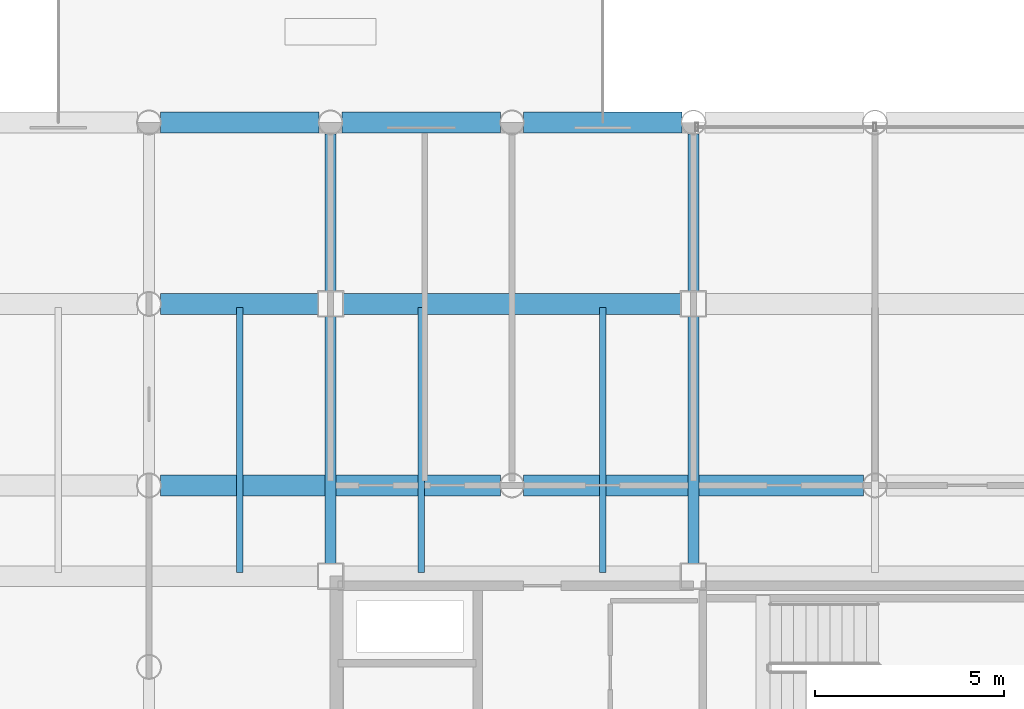
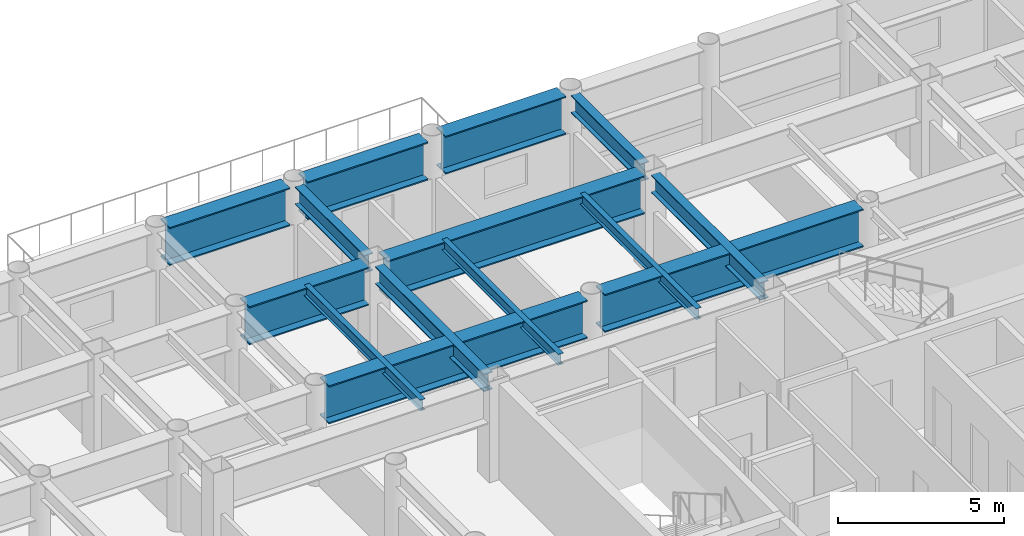
# One storey, part 11 of 22: 14 beams.
"""IFC4 building model written with IfcOpenShell, lengths in metres."""

from ifc_helpers import new_model, si_unit, direction, frame, origin, origin_2d, place, context, subcontext, project, spatial, i_section, extrude, material, material_profile, profile_set, type_object, element, save


model = new_model("IFC4")

# Units and contexts
model_context = context("Model", 3, precision=1e-05, world=origin(), true_north=direction((0.0, 1.0)))
body_context = subcontext(model_context, "Body", "Model", "MODEL_VIEW")
ifc_project = project(units=[si_unit("LENGTHUNIT", "METRE"), si_unit("AREAUNIT", "SQUARE_METRE"), si_unit("VOLUMEUNIT", "CUBIC_METRE"), si_unit("PLANEANGLEUNIT", "RADIAN"), si_unit("MASSUNIT", "GRAM", prefix="KILO")], contexts=[model_context])

# Site, building, storey
site_placement = place(None, origin())
site = spatial("IfcSite", under=ifc_project, at=site_placement, CompositionType="ELEMENT")
building_placement = place(site_placement, origin())
building = spatial("IfcBuilding", under=site, at=building_placement, Name="Kallvorn Hotel Tower", CompositionType="ELEMENT")
storey_placement = place(building_placement, frame((0.0, 0.0, 154.39990234375)))
storey = spatial("IfcBuildingStorey", under=building, at=storey_placement, Name="L38", CompositionType="ELEMENT", Elevation=154.39990234375)

# Beams
ifc_material_1 = material(Name="Structural steel S355JR", Category="steel")
ifc_material_profile_1 = material_profile(ifc_material_1, i_section(OverallWidth=0.300048828125, OverallDepth=0.64990234375, WebThickness=0.01611328125, FlangeThickness=0.031005859375, at=origin_2d()), Name="HE 650 B")
ifc_profile_set_1 = profile_set([ifc_material_profile_1], Name="Structural steel S355JR")
beam_type_1 = type_object("IfcBeamType", Name="BM_HE650B", PredefinedType="BEAM", material=ifc_profile_set_1)
beam_1_placement = place(storey_placement, frame((-14.39990234375, 7.52490234375, 3.195068359375), z_axis=(0.0, 1.0, 0.0), x_axis=(-1.0, 0.0, 0.0)))
element("IfcBeam", 1, at=beam_1_placement, inside=storey, type_object=beam_type_1, Name="L39 Primary Y-Girder 101", PredefinedType="BEAM", context=body_context, shape_type="SweptSolid", body=[
    extrude(i_section(OverallWidth=0.300048828125, OverallDepth=0.64990234375, WebThickness=0.01611328125, FlangeThickness=0.031005859375, at=origin_2d()), origin(), (0.0, 0.0, 1.0), 6.550048828125),
])
beam_2_placement = place(storey_placement, frame((-14.39990234375, 14.72509765625, 3.195068359375), z_axis=(0.0, 1.0, 0.0), x_axis=(-1.0, 0.0, 0.0)))
element("IfcBeam", 2, at=beam_2_placement, inside=storey, type_object=beam_type_1, Name="L39 Primary Y-Girder 102", PredefinedType="BEAM", context=body_context, shape_type="SweptSolid", body=[
    extrude(i_section(OverallWidth=0.300048828125, OverallDepth=0.64990234375, WebThickness=0.01611328125, FlangeThickness=0.031005859375, at=origin_2d()), origin(), (0.0, 0.0, 1.0), 4.169921875),
])
beam_3_placement = place(storey_placement, frame((-4.800048828125, 7.52490234375, 3.195068359375), z_axis=(0.0, 1.0, 0.0), x_axis=(-1.0, 0.0, 0.0)))
element("IfcBeam", 3, at=beam_3_placement, inside=storey, type_object=beam_type_1, Name="L39 Primary Y-Girder 109", PredefinedType="BEAM", context=body_context, shape_type="SweptSolid", body=[
    extrude(i_section(OverallWidth=0.300048828125, OverallDepth=0.64990234375, WebThickness=0.01611328125, FlangeThickness=0.031005859375, at=origin_2d()), origin(), (0.0, 0.0, 1.0), 6.550048828125),
])
beam_4_placement = place(storey_placement, frame((-4.800048828125, 14.72509765625, 3.195068359375), z_axis=(0.0, 1.0, 0.0), x_axis=(-1.0, 0.0, 0.0)))
element("IfcBeam", 4, at=beam_4_placement, inside=storey, type_object=beam_type_1, Name="L39 Primary Y-Girder 110", PredefinedType="BEAM", context=body_context, shape_type="SweptSolid", body=[
    extrude(i_section(OverallWidth=0.300048828125, OverallDepth=0.64990234375, WebThickness=0.01611328125, FlangeThickness=0.031005859375, at=origin_2d()), origin(), (0.0, 0.0, 1.0), 4.169921875),
])
ifc_material_2 = material(Name="Structural steel S355JR", Category="steel")
ifc_material_profile_2 = material_profile(ifc_material_2, i_section(OverallWidth=0.179931640625, OverallDepth=0.39990234375, WebThickness=0.008544921875, FlangeThickness=0.013427734375, at=origin_2d()), Name="IPE 400")
ifc_profile_set_2 = profile_set([ifc_material_profile_2], Name="Structural steel S355JR")
beam_type_2 = type_object("IfcBeamType", Name="BM_IPE400", PredefinedType="JOIST", material=ifc_profile_set_2)
for number, where, z_axis, x_axis, name in (
    (5, (-16.800048828125, 7.300048828125, 3.320068359375), (0.0, 1.0, 0.0), (-1.0, 0.0, 0.0), "L39 Secondary Composite Joist 195"),
    (6, (-12.0, 7.300048828125, 3.320068359375), (0.0, 1.0, 0.0), (-1.0, 0.0, 0.0), "L39 Secondary Composite Joist 197"),
    (7, (-7.199951171875, 7.300048828125, 3.320068359375), (0.0, 1.0, 0.0), (-1.0, 0.0, 0.0), "L39 Secondary Composite Joist 199"),
):
    element("IfcBeam", number, at=place(storey_placement, frame(where, z_axis=z_axis, x_axis=x_axis)), inside=storey, type_object=beam_type_2, Name=name, PredefinedType="JOIST", context=body_context, shape_type="SweptSolid", body=[
        extrude(i_section(OverallWidth=0.179931640625, OverallDepth=0.39990234375, WebThickness=0.008544921875, FlangeThickness=0.013427734375, at=origin_2d()), origin(), (0.0, 0.0, 1.0), 7.0),
    ])
ifc_material_3 = material(Name="Structural steel S355JR", Category="steel")
ifc_material_profile_3 = material_profile(ifc_material_3, i_section(OverallWidth=0.550048828125, OverallDepth=1.39990234375, WebThickness=0.02490234375, FlangeThickness=0.044921875, at=origin_2d()), Name="PG 1400x550x25x45")
ifc_profile_set_3 = profile_set([ifc_material_profile_3], Name="Structural steel S355JR")
beam_type_3 = type_object("IfcBeamType", Name="BM_PG_1400", PredefinedType="BEAM", material=ifc_profile_set_3)
for number, where, z_axis, x_axis, name in (
    (8, (-18.89501953125, 9.60009765625, 2.820068359375), (1.0, 0.0, 0.0), (0.0, 1.0, 0.0), "L39 Primary X-Girder 45"),
    (9, (-9.294921875, 9.60009765625, 2.820068359375), (1.0, 0.0, 0.0), (0.0, 1.0, 0.0), "L39 Primary X-Girder 46"),
):
    element("IfcBeam", number, at=place(storey_placement, frame(where, z_axis=z_axis, x_axis=x_axis)), inside=storey, type_object=beam_type_3, Name=name, PredefinedType="BEAM", context=body_context, shape_type="SweptSolid", body=[
        extrude(i_section(OverallWidth=0.550048828125, OverallDepth=1.39990234375, WebThickness=0.02490234375, FlangeThickness=0.044921875, at=origin_2d()), origin(), (0.0, 0.0, 1.0), 8.989990234375),
    ])
beam_5_placement = place(storey_placement, frame((-18.89501953125, 14.39990234375, 2.820068359375), z_axis=(1.0, 0.0, 0.0), x_axis=(0.0, 1.0, 0.0)))
element("IfcBeam", 10, at=beam_5_placement, inside=storey, type_object=beam_type_3, Name="L39 Primary X-Girder 54", PredefinedType="BEAM", context=body_context, shape_type="SweptSolid", body=[
    extrude(i_section(OverallWidth=0.550048828125, OverallDepth=1.39990234375, WebThickness=0.02490234375, FlangeThickness=0.044921875, at=origin_2d()), origin(), (0.0, 0.0, 1.0), 4.169921875),
])
beam_6_placement = place(storey_placement, frame((-14.074951171875, 14.39990234375, 2.820068359375), z_axis=(1.0, 0.0, 0.0), x_axis=(0.0, 1.0, 0.0)))
element("IfcBeam", 11, at=beam_6_placement, inside=storey, type_object=beam_type_3, Name="L39 Primary X-Girder 55", PredefinedType="BEAM", context=body_context, shape_type="SweptSolid", body=[
    extrude(i_section(OverallWidth=0.550048828125, OverallDepth=1.39990234375, WebThickness=0.02490234375, FlangeThickness=0.044921875, at=origin_2d()), origin(), (0.0, 0.0, 1.0), 8.949951171875),
])
for number, where, z_axis, x_axis, name in (
    (12, (-18.89501953125, 19.199951171875, 2.820068359375), (1.0, 0.0, 0.0), (0.0, 1.0, 0.0), "L39 Primary X-Girder 63"),
    (13, (-14.094970703125, 19.199951171875, 2.820068359375), (1.0, 0.0, 0.0), (0.0, 1.0, 0.0), "L39 Primary X-Girder 64"),
    (14, (-9.294921875, 19.199951171875, 2.820068359375), (1.0, 0.0, 0.0), (0.0, 1.0, 0.0), "L39 Primary X-Girder 65"),
):
    element("IfcBeam", number, at=place(storey_placement, frame(where, z_axis=z_axis, x_axis=x_axis)), inside=storey, type_object=beam_type_3, Name=name, PredefinedType="BEAM", context=body_context, shape_type="SweptSolid", body=[
        extrude(i_section(OverallWidth=0.550048828125, OverallDepth=1.39990234375, WebThickness=0.02490234375, FlangeThickness=0.044921875, at=origin_2d()), origin(), (0.0, 0.0, 1.0), 4.18994140625),
    ])

save(model, "model.ifc")
